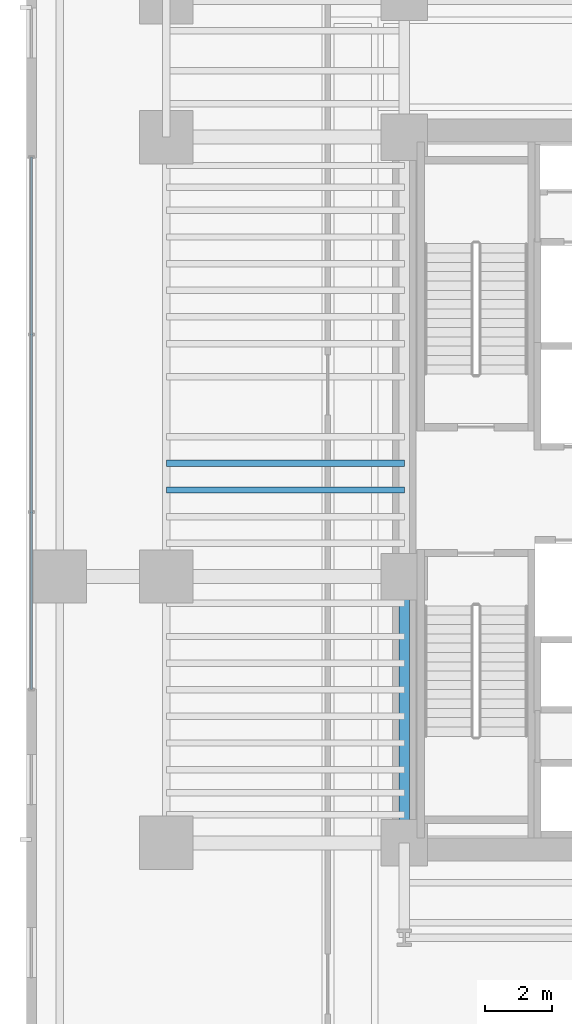
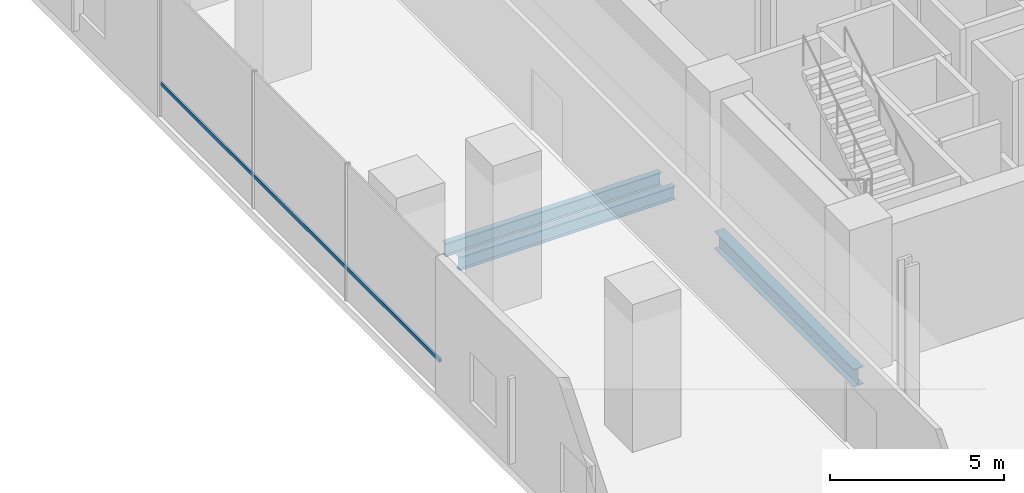
# One storey, part 3 of 39: 3 beams, 1 member, 1 element without a shape of its own.
"""IFC4 building model written with IfcOpenShell, lengths in metres."""

from ifc_helpers import new_model, si_unit, direction, frame, origin, origin_2d, place, context, subcontext, project, spatial, hollow_rectangle, i_section, extrude, source, transform, mapped, material, material_profile, profile_set, type_object, element, aggregate, save


model = new_model("IFC4")

# Units and contexts
model_context = context("Model", 3, precision=1e-05, world=origin(), true_north=direction((0.0, 1.0)))
body_context = subcontext(model_context, "Body", "Model", "MODEL_VIEW")
ifc_project = project(units=[si_unit("LENGTHUNIT", "METRE"), si_unit("AREAUNIT", "SQUARE_METRE"), si_unit("VOLUMEUNIT", "CUBIC_METRE"), si_unit("PLANEANGLEUNIT", "RADIAN"), si_unit("MASSUNIT", "GRAM", prefix="KILO")], contexts=[model_context])

# Site, building, storey
site_placement = place(None, origin())
site = spatial("IfcSite", under=ifc_project, at=site_placement, CompositionType="ELEMENT")
building_placement = place(site_placement, origin())
building = spatial("IfcBuilding", under=site, at=building_placement, Name="Valdorenza Pilgrim Sanctuary Tower", CompositionType="ELEMENT")
storey_placement = place(building_placement, frame((0.0, 0.0, 15.60009765625)))
storey = spatial("IfcBuildingStorey", under=building, at=storey_placement, Name="L03", CompositionType="ELEMENT", Elevation=15.60009765625)

# Beams
ifc_material_1 = material(Name="Steel ASTM A992 Grade 50", Category="steel")
ifc_material_profile_1 = material_profile(ifc_material_1, i_section(OverallWidth=0.323974609375, OverallDepth=0.611083984375, WebThickness=0.0126953125, FlangeThickness=0.01904296875, at=origin_2d()), Name="W24X104")
ifc_profile_set_1 = profile_set([ifc_material_profile_1], Name="Steel ASTM A992 Grade 50")
beam_type_1 = type_object("IfcBeamType", Name="STR-BM-GRD-W24B", PredefinedType="BEAM", material=ifc_profile_set_1)
shared_shape_1 = source(origin(), body_context, "Body", "SweptSolid", [
    extrude(i_section(OverallWidth=0.323974609375, OverallDepth=0.611083984375, WebThickness=0.0126953125, FlangeThickness=0.01904296875, at=origin_2d()), origin(), (0.0, 0.0, 1.0), 8.0),
])
beam_placement = place(storey_placement, frame((-22.64990234375, -10.60009765625, -0.585693359375), z_axis=(0.0, 1.0, 0.0), x_axis=(-1.0, 0.0, 0.0)))
element("IfcBeam", 1, at=beam_placement, inside=storey, type_object=beam_type_1, Name="L03 Core Tie Girder CA-W-S1M0", PredefinedType="BEAM", context=body_context, shape_type="MappedRepresentation", body=[
    mapped(shared_shape_1, transform((0.0, 0.0, 0.0), x_axis=(1.0, 0.0, 0.0), y_axis=(0.0, 1.0, 0.0), z_axis=(0.0, 0.0, 1.0), scale=1.0)),
])
ifc_material_profile_2 = material_profile(ifc_material_1, i_section(OverallWidth=0.193115234375, OverallDepth=0.466064453125, WebThickness=0.011474609375, FlangeThickness=0.01904296875, at=origin_2d()), Name="W18X65")
ifc_profile_set_2 = profile_set([ifc_material_profile_2], Name="Steel ASTM A992 Grade 50")
beam_type_2 = type_object("IfcBeamType", Name="STR-BM-JST-W18A", PredefinedType="JOIST", material=ifc_profile_set_2)
shared_shape_2 = source(origin(), body_context, "Body", "SweptSolid", [
    extrude(i_section(OverallWidth=0.193115234375, OverallDepth=0.466064453125, WebThickness=0.011474609375, FlangeThickness=0.01904296875, at=origin_2d()), origin(), (0.0, 0.0, 1.0), 7.150146484375),
])
for number, where, z_axis, x_axis, name in (
    (2, (-29.800048828125, 0.0, -0.51318359375), (1.0, 0.0, 0.0), (0.0, 1.0, 0.0), "L03 Composite Floor Joist JST-WA-12"),
    (3, (-29.800048828125, 0.800048828125, -0.51318359375), (1.0, 0.0, 0.0), (0.0, 1.0, 0.0), "L03 Composite Floor Joist JST-WA-13"),
):
    element("IfcBeam", number, at=place(storey_placement, frame(where, z_axis=z_axis, x_axis=x_axis)), inside=storey, type_object=beam_type_2, Name=name, PredefinedType="JOIST", context=body_context, shape_type="MappedRepresentation", body=[
        mapped(shared_shape_2, transform((0.0, 0.0, 0.0), x_axis=(1.0, 0.0, 0.0), y_axis=(0.0, 1.0, 0.0), z_axis=(0.0, 0.0, 1.0), scale=1.0)),
    ])

# Curtain wall, member
ifc_material_2 = material(Name="Curtain-wall IGU glazing", Category="glass")
curtain_wall_type = type_object("IfcCurtainWallType", Name="CW-SYS-01", PredefinedType="NOTDEFINED", material=ifc_material_2)
curtain_wall_placement = place(storey_placement, origin())
curtain_wall = element("IfcCurtainWall", 4, at=curtain_wall_placement, inside=storey, type_object=curtain_wall_type, Name="L03 Curtain Wall CW-POD-L03-WW", PredefinedType="NOTDEFINED")
ifc_material_3 = material(Name="Anodised aluminium AW-6060", Category="aluminium")
ifc_material_profile_3 = material_profile(ifc_material_3, hollow_rectangle(XDim=0.06494140625, YDim=0.1298828125, WallThickness=0.00341796875, at=origin_2d()), Name="ALU-T 130x65x3.5")
ifc_profile_set_3 = profile_set([ifc_material_profile_3], Name="Anodised aluminium AW-6060")
member_type = type_object("IfcMemberType", Name="CW-TRN-01", PredefinedType="USERDEFINED", material=ifc_profile_set_3)
shared_shape_3 = source(origin(), body_context, "Body", "SweptSolid", [
    extrude(hollow_rectangle(XDim=0.06494140625, YDim=0.1298828125, WallThickness=0.00341796875, at=origin_2d()), origin(), (0.0, 0.0, 1.0), 16.0),
])
member_placement = place(storey_placement, frame((-33.85009765625, -6.0, 1.119873046875), z_axis=(0.0, 1.0, 0.0), x_axis=(-1.0, 0.0, 0.0)))
member = element("IfcMember", 5, at=member_placement, type_object=member_type, Name="CW-POD-L03-WW Transom 1", ObjectType="TRANSOM", PredefinedType="USERDEFINED", context=body_context, shape_type="MappedRepresentation", body=[
    mapped(shared_shape_3, transform((0.0, 0.0, 0.0), x_axis=(1.0, 0.0, 0.0), y_axis=(0.0, 1.0, 0.0), z_axis=(0.0, 0.0, 1.0), scale=1.0)),
])
aggregate(curtain_wall, [member])

save(model, "model.ifc")
